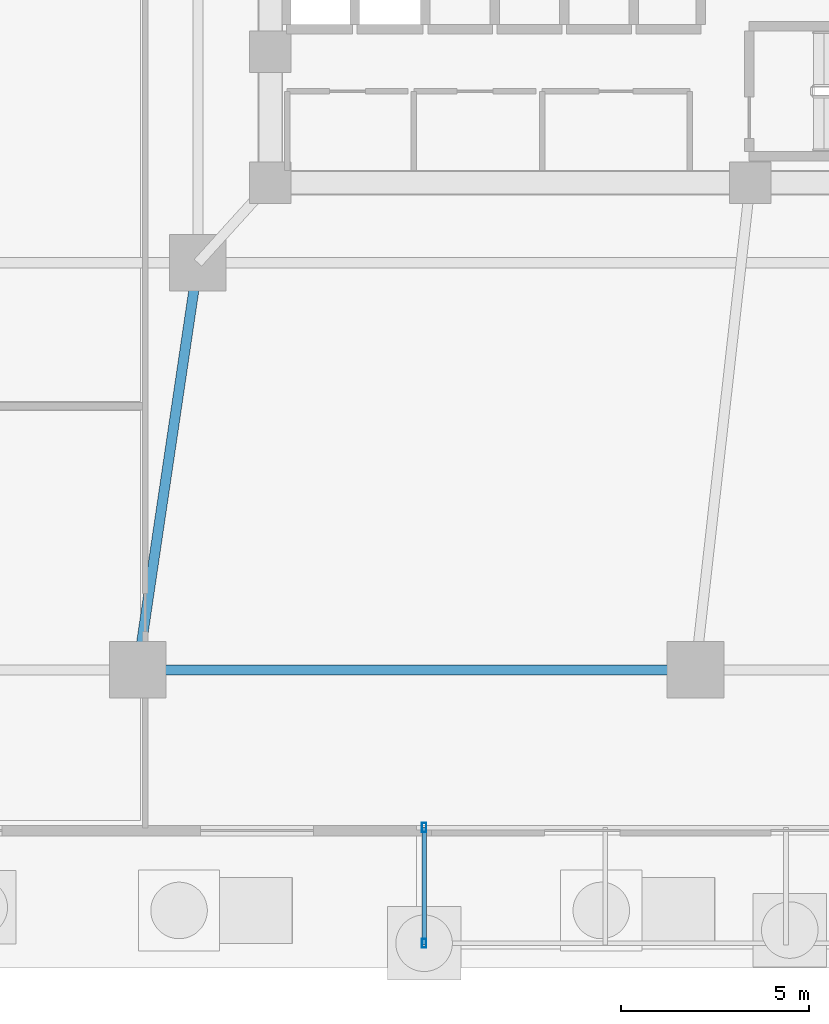
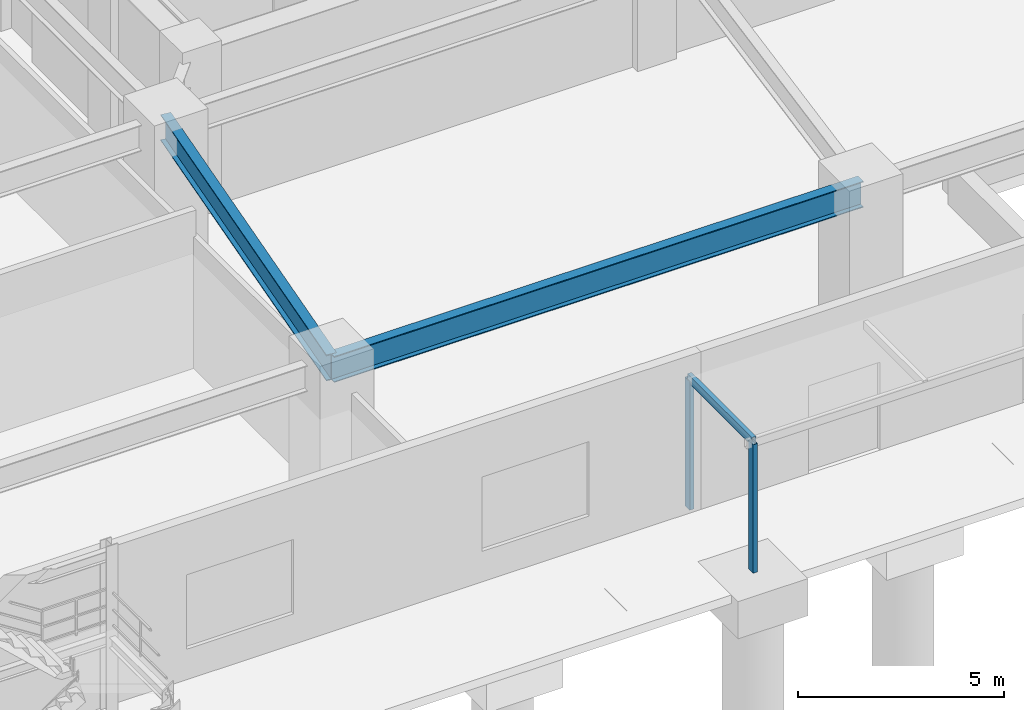
# One storey, part 4 of 18: 3 members, 2 beams.
"""IFC4 building model written with IfcOpenShell, lengths in metres."""

from ifc_helpers import new_model, si_unit, direction, frame, origin, origin_2d, place, context, subcontext, project, spatial, hollow_rectangle, i_section, extrude, material, material_profile, profile_set, type_object, element, save


model = new_model("IFC4")

# Units and contexts
model_context = context("Model", 3, precision=1e-05, world=origin(), true_north=direction((0.0, 1.0)))
body_context = subcontext(model_context, "Body", "Model", "MODEL_VIEW")
ifc_project = project(units=[si_unit("LENGTHUNIT", "METRE"), si_unit("AREAUNIT", "SQUARE_METRE"), si_unit("VOLUMEUNIT", "CUBIC_METRE"), si_unit("PLANEANGLEUNIT", "RADIAN"), si_unit("MASSUNIT", "GRAM", prefix="KILO")], contexts=[model_context])

# Site, building, storey
site_placement = place(None, origin())
site = spatial("IfcSite", under=ifc_project, at=site_placement, CompositionType="ELEMENT")
building_placement = place(site_placement, origin())
building = spatial("IfcBuilding", under=site, at=building_placement, Name="Zulverin Broadcast Headquarters", CompositionType="ELEMENT")
storey_placement = place(building_placement, origin())
storey = spatial("IfcBuildingStorey", under=building, at=storey_placement, Name="L00", CompositionType="ELEMENT", Elevation=0.0)

# Beams
ifc_material_1 = material(Name="Structural steel S355JR", Category="steel")
ifc_material_profile_1 = material_profile(ifc_material_1, i_section(OverallWidth=0.26806640625, OverallDepth=0.769775390625, WebThickness=0.015625, FlangeThickness=0.025390625, at=origin_2d()), Name="Structural steel S355JR", Category="steel")
ifc_profile_set_1 = profile_set([ifc_material_profile_1], Name="Structural steel S355JR")
beam_type = type_object("IfcBeamType", Name="BM-UB-762", PredefinedType="BEAM", material=ifc_profile_set_1)
beam_1_placement = place(storey_placement, frame((22.199951171875, 4.39990234375, 4.275146484375), z_axis=(1.0, 0.0, 0.0), x_axis=(0.0, 1.0, 0.0)))
element("IfcBeam", 1, at=beam_1_placement, inside=storey, type_object=beam_type, Name="L00 Podium Primary Girder P02-P03", PredefinedType="BEAM", context=body_context, shape_type="SweptSolid", body=[
    extrude(i_section(OverallWidth=0.26806640625, OverallDepth=0.769775390625, WebThickness=0.015625, FlangeThickness=0.025390625, at=origin_2d()), origin(), (0.0, 0.0, 1.0), 14.800048828125),
])
beam_2_placement = place(storey_placement, frame((22.199951171875, 4.39990234375, 4.275146484375), z_axis=(0.146556765224, 0.989202261707, 0.0), x_axis=(-0.989202261707, 0.146556765224, 0.0)))
element("IfcBeam", 2, at=beam_2_placement, inside=storey, type_object=beam_type, Name="L00 Podium Primary Girder P02-M01", PredefinedType="BEAM", context=body_context, shape_type="SweptSolid", body=[
    extrude(i_section(OverallWidth=0.26806640625, OverallDepth=0.769775390625, WebThickness=0.015625, FlangeThickness=0.025390625, at=origin_2d()), origin(), (0.0, 0.0, 1.0), 10.91796875),
])

# Members
ifc_material_2 = material(Name="Anodized pale-metal steel canopy rafter S355JR", Category="steel")
ifc_material_profile_2 = material_profile(ifc_material_2, hollow_rectangle(XDim=0.1201171875, YDim=0.239990234375, WallThickness=0.008056640625, at=origin_2d()), Name="Anodized pale-metal steel canopy rafter S355JR", Category="steel")
ifc_profile_set_2 = profile_set([ifc_material_profile_2], Name="Anodized pale-metal steel canopy rafter S355JR")
member_type = type_object("IfcMemberType", Name="MBR-CANOPY-RFT", PredefinedType="RAFTER", material=ifc_profile_set_2)
for number, where, z_axis, x_axis, name in (
    (3, (29.800048828125, -2.85009765625, 0.0), (0.0, 0.0, 1.0), (1.0, 0.0, 0.0), "L00 South Entrance Canopy Support Post 1"),
    (4, (29.800048828125, 0.219970703125, 0.0), (0.0, 0.0, 1.0), (1.0, 0.0, 0.0), "L00 South Entrance Canopy Rear Ledger Post 1"),
):
    element("IfcMember", number, at=place(storey_placement, frame(where, z_axis=z_axis, x_axis=x_axis)), inside=storey, type_object=member_type, Name=name, PredefinedType="RAFTER", context=body_context, shape_type="SweptSolid", body=[
        extrude(hollow_rectangle(XDim=0.1201171875, YDim=0.239990234375, WallThickness=0.008056640625, at=origin_2d()), origin(), (0.0, 0.0, 1.0), 3.800048828125),
    ])
member_placement = place(storey_placement, frame((29.800048828125, 0.219970703125, 3.85009765625), z_axis=(0.0, -1.0, 0.0), x_axis=(1.0, 0.0, 0.0)))
element("IfcMember", 5, at=member_placement, inside=storey, type_object=member_type, Name="L00 South Entrance Canopy Steel Rafter 1", PredefinedType="RAFTER", context=body_context, shape_type="SweptSolid", body=[
    extrude(hollow_rectangle(XDim=0.1201171875, YDim=0.239990234375, WallThickness=0.008056640625, at=origin_2d()), origin(), (0.0, 0.0, 1.0), 3.119873046875),
])

save(model, "model.ifc")
